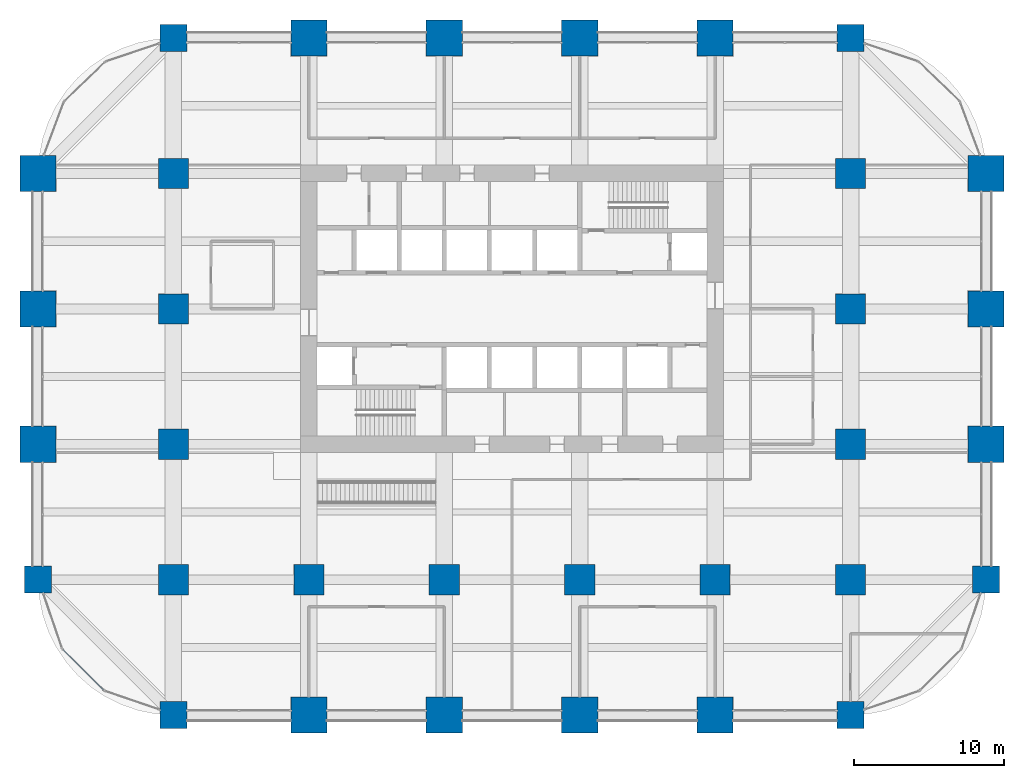
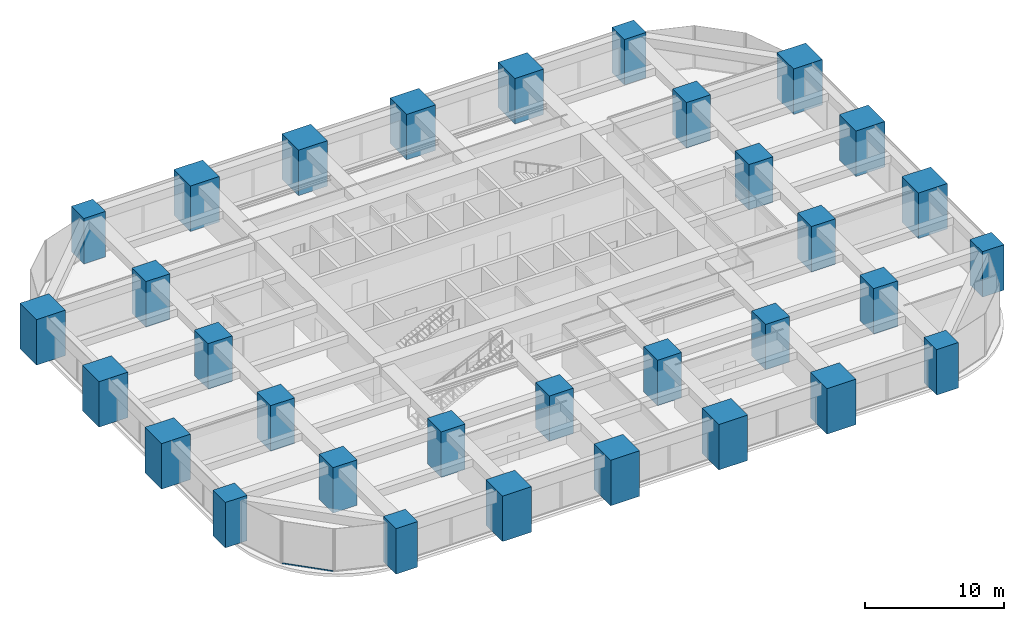
# One storey, part 1 of 39: 32 columns, 1 member, 1 element without a shape of its own.
"""IFC4 building model written with IfcOpenShell, lengths in metres."""

import ifcopenshell
import ifcopenshell.guid

model = None  # the IFC model being written
_history = None  # IfcOwnerHistory: only IFC2X3 demands one
_inside = {}  # id of a spatial element -> (the spatial element, [elements in it])
_under = {}  # id of a project, library or spatial element -> (it, [spatial elements below it])
_declared = {}  # id of a project -> (the project, [libraries it declares])
_typed = {}  # id of a type object -> (the type object, [elements of that type])
_made_of = {}  # id of a material, layer set ... -> (it, [elements and type objects made of it])


def new_model(schema):
    """Start an empty IFC model of exactly this schema.

    Asked for "IFC4X3", IfcOpenShell would pick the latest addendum, in which some entities
    have other attributes; the version numbers below select the first issue.
    IFC2X3 requires an IfcOwnerHistory on every rooted entity: one is made here for all.
    """
    global model, _history
    if schema == "IFC4X3":
        model = ifcopenshell.file(schema_version=(4, 3, 0, 0))
    else:
        model = ifcopenshell.file(schema=schema)
    _inside.clear()
    _under.clear()
    _declared.clear()
    _typed.clear()
    _made_of.clear()
    _history = None
    if model.schema == "IFC2X3":
        org = make("IfcOrganization", Name="unknown")
        user = make(
            "IfcPersonAndOrganization",
            ThePerson=make("IfcPerson", FamilyName="unknown"),
            TheOrganization=org,
        )
        app = make(
            "IfcApplication",
            ApplicationDeveloper=org,
            Version="unknown",
            ApplicationFullName="unknown",
            ApplicationIdentifier="unknown",
        )
        _history = make(
            "IfcOwnerHistory",
            OwningUser=user,
            OwningApplication=app,
            ChangeAction="ADDED",
            CreationDate=0,
        )
    return model


def make(cls, **values):
    """One entity of the class cls with the attributes given. An attribute that is None is left unset."""
    return model.create_entity(
        cls, **{name: value for name, value in values.items() if value is not None}
    )


def rooted(cls, **values):
    """An entity with a GlobalId (a new one), such as an element, a storey or a relation."""
    return make(cls, GlobalId=ifcopenshell.guid.new(), OwnerHistory=_history, **values)


def si_unit(unit_type, name, prefix=None):
    """IfcSIUnit, for example si_unit("LENGTHUNIT", "METRE", prefix="MILLI")."""
    return make("IfcSIUnit", UnitType=unit_type, Prefix=prefix, Name=name)


def assignment(units):
    """IfcUnitAssignment: the units of a project."""
    return None if units is None else make("IfcUnitAssignment", Units=units)


def point(xyz):
    """IfcCartesianPoint."""
    return None if xyz is None else make("IfcCartesianPoint", Coordinates=xyz)


def direction(xyz):
    """IfcDirection."""
    return None if xyz is None else make("IfcDirection", DirectionRatios=xyz)


def frame(location, z_axis=None, x_axis=None):
    """IfcAxis2Placement3D, a coordinate frame: its origin and axes. An axis left out is left unset."""
    return make(
        "IfcAxis2Placement3D",
        Location=point(location),
        Axis=direction(z_axis),
        RefDirection=direction(x_axis),
    )


def frame_2d(location, x_axis=None):
    """IfcAxis2Placement2D, a coordinate frame in the plane: its origin and x axis."""
    return make(
        "IfcAxis2Placement2D", Location=point(location), RefDirection=direction(x_axis)
    )


def origin():
    """The frame at (0, 0, 0) with its axes left unset."""
    return frame((0.0, 0.0, 0.0))


def origin_2d():
    """The frame at (0, 0) in the plane with its x axis left unset."""
    return frame_2d((0.0, 0.0))


def place(relative_to, where):
    """IfcLocalPlacement: puts the frame where relative to a parent placement (None: the world)."""
    return make(
        "IfcLocalPlacement", PlacementRelTo=relative_to, RelativePlacement=where
    )


def context(
    kind, dimensions, precision=None, world=None, true_north=None, identifier=None
):
    """IfcGeometricRepresentationContext, for example the 3D "Model" context."""
    return make(
        "IfcGeometricRepresentationContext",
        ContextIdentifier=identifier,
        ContextType=kind,
        CoordinateSpaceDimension=dimensions,
        Precision=precision,
        WorldCoordinateSystem=world,
        TrueNorth=true_north,
    )


def subcontext(parent, identifier, kind, view, scale=None):
    """IfcGeometricRepresentationSubContext, for example "Body" below "Model"."""
    return make(
        "IfcGeometricRepresentationSubContext",
        ContextIdentifier=identifier,
        ContextType=kind,
        ParentContext=parent,
        TargetScale=scale,
        TargetView=view,
    )


def project(units=None, contexts=None):
    """IfcProject with its units and contexts."""
    return rooted(
        "IfcProject",
        Name="project",
        RepresentationContexts=contexts,
        UnitsInContext=assignment(units),
    )


def spatial(cls, under=None, at=None, **own):
    """A site, building, storey or space (cls), placed at a placement, below another one or the project."""
    s = rooted(cls, ObjectPlacement=at, **own)
    if under is not None:
        _under.setdefault(under.id(), (under, []))[1].append(s)
    return s


def profile(cls, at=None, kind="AREA", **sizes):
    """A parametric profile (cls). Its sizes go by their IFC names, for example OverallWidth=200.0."""
    return make(cls, ProfileType=kind, Position=at, **sizes)


def rectangle(**sizes):
    """IfcRectangleProfileDef."""
    return profile("IfcRectangleProfileDef", **sizes)


def hollow_rectangle(**sizes):
    """IfcRectangleHollowProfileDef."""
    return profile("IfcRectangleHollowProfileDef", **sizes)


def extrude(swept, where, along, depth):
    """IfcExtrudedAreaSolid: the profile swept, set in the frame where, extruded along a direction by depth."""
    return make(
        "IfcExtrudedAreaSolid",
        SweptArea=swept,
        Position=where,
        ExtrudedDirection=direction(along),
        Depth=depth,
    )


def shape(context_of_items, identifier, shape_type, items):
    """IfcShapeRepresentation: the items that make up one representation, for example the "Body"."""
    return make(
        "IfcShapeRepresentation",
        ContextOfItems=context_of_items,
        RepresentationIdentifier=identifier,
        RepresentationType=shape_type,
        Items=items,
    )


def material(Name=None, Category=None):
    """IfcMaterial."""
    return make("IfcMaterial", Name=Name, Category=Category)


def material_profile(
    of_material, cross_section, Name=None, Category=None, Priority=None
):
    """IfcMaterialProfile: a cross section and its material."""
    return make(
        "IfcMaterialProfile",
        Name=Name,
        Material=of_material,
        Profile=cross_section,
        Priority=Priority,
        Category=Category,
    )


def profile_set(profiles, Name=None, composite=None):
    """IfcMaterialProfileSet."""
    return make(
        "IfcMaterialProfileSet",
        Name=Name,
        MaterialProfiles=profiles,
        CompositeProfile=composite,
    )


def made_of(thing, what):
    """Note that an element or type object is made of a material, layer set ...; save() writes the relation."""
    if what is not None:
        _made_of.setdefault(what.id(), (what, []))[1].append(thing)
    return thing


def type_object(cls, material=None, **own):
    """A type object (cls), such as IfcWallType, which elements share."""
    return made_of(rooted(cls, **own), material)


def element(
    cls,
    number,
    at=None,
    inside=None,
    cuts=None,
    type_object=None,
    material=None,
    context=None,
    identifier="Body",
    shape_type=None,
    held_by="IfcProductDefinitionShape",
    body=None,
    shapes=None,
    **own,
):
    """One element of the class cls, such as IfcWall. Its Tag is "e" and its number.

    at: its placement. inside: the storey or other place that contains it. cuts: it is an
    opening in that element (IfcRelVoidsElement). A single representation is given by context,
    identifier, shape_type and body (its items); several are given by shapes. held_by: the class
    of the entity that holds the representations. save() writes the other relations.
    """
    e = rooted(cls, Tag="e%d" % number, ObjectPlacement=at, **own)
    if body is not None:
        shapes = [shape(context, identifier, shape_type, body)]
    if shapes is not None:
        e.Representation = make(held_by, Representations=shapes)
    if inside is not None:
        _inside.setdefault(inside.id(), (inside, []))[1].append(e)
    if cuts is not None:
        rooted(
            "IfcRelVoidsElement", RelatingBuildingElement=cuts, RelatedOpeningElement=e
        )
    if type_object is not None:
        _typed.setdefault(type_object.id(), (type_object, []))[1].append(e)
    return made_of(e, material)


def aggregate(whole, parts):
    """IfcRelAggregates: a whole, such as a stair, and the parts it consists of."""
    return rooted("IfcRelAggregates", RelatingObject=whole, RelatedObjects=parts)


def save(model, path):
    """Write the relations noted so far, then the file.

    IfcRelAggregates (storeys below a building ...), IfcRelContainedInSpatialStructure (elements
    in a storey), IfcRelDefinesByType, IfcRelAssociatesMaterial and IfcRelDeclares: one each for
    every whole, place, type object, material and project.
    """
    for whole, parts in _under.values():
        aggregate(whole, parts)
    for where, things in _inside.values():
        rooted(
            "IfcRelContainedInSpatialStructure",
            RelatedElements=things,
            RelatingStructure=where,
        )
    for kind, things in _typed.values():
        rooted("IfcRelDefinesByType", RelatedObjects=things, RelatingType=kind)
    for what, things in _made_of.values():
        rooted("IfcRelAssociatesMaterial", RelatedObjects=things, RelatingMaterial=what)
    for by, libraries in _declared.values():
        rooted("IfcRelDeclares", RelatingContext=by, RelatedDefinitions=libraries)
    model.write(path)


model = new_model("IFC4")

# Units and contexts
model_context = context("Model", 3, precision=1e-05, world=origin(), true_north=direction((0.0, 1.0)))
body_context = subcontext(model_context, "Body", "Model", "MODEL_VIEW")
ifc_project = project(units=[si_unit("LENGTHUNIT", "METRE"), si_unit("AREAUNIT", "SQUARE_METRE"), si_unit("VOLUMEUNIT", "CUBIC_METRE"), si_unit("PLANEANGLEUNIT", "RADIAN"), si_unit("MASSUNIT", "GRAM", prefix="KILO")], contexts=[model_context])

# Site, building, storey
site_placement = place(None, origin())
site = spatial("IfcSite", under=ifc_project, at=site_placement, CompositionType="ELEMENT")
building_placement = place(site_placement, origin())
building = spatial("IfcBuilding", under=site, at=building_placement, Name="Zorevar Civic Tower", CompositionType="ELEMENT")
storey_placement = place(building_placement, frame((0.0, 0.0, 117.0)))
storey = spatial("IfcBuildingStorey", under=building, at=storey_placement, Name="L28", CompositionType="ELEMENT", Elevation=117.0)

# Columns
ifc_material_1 = material(Name="Concrete C50/60", Category="concrete")
ifc_material_profile_1 = material_profile(ifc_material_1, rectangle(XDim=1.800048828125, YDim=1.800048828125, at=origin_2d()), Name="RC 1800x1800")
ifc_profile_set_1 = profile_set([ifc_material_profile_1], Name="Concrete C50/60")
column_type_1 = type_object("IfcColumnType", Name="Column RC 1800x1800", PredefinedType="COLUMN", material=ifc_profile_set_1)
for number, where, z_axis, x_axis, name in (
    (1, (0.0, 9.0, 0.0), (0.0, 0.0, 1.0), (1.0, 0.0, 0.0), "Column 2B L28"),
    (2, (9.0, 0.0, 0.0), (0.0, 0.0, 1.0), (1.0, 0.0, 0.0), "Column 3A L28"),
    (3, (9.0, 45.0, 0.0), (0.0, 0.0, 1.0), (1.0, 0.0, 0.0), "Column 3F L28"),
    (4, (54.0, 0.0, 0.0), (0.0, 0.0, 1.0), (1.0, 0.0, 0.0), "Column 8A L28"),
    (5, (54.0, 45.0, 0.0), (0.0, 0.0, 1.0), (1.0, 0.0, 0.0), "Column 8F L28"),
    (6, (63.0, 9.0, 0.0), (0.0, 0.0, 1.0), (1.0, 0.0, 0.0), "Column 9B L28"),
):
    element("IfcColumn", number, at=place(storey_placement, frame(where, z_axis=z_axis, x_axis=x_axis)), inside=storey, type_object=column_type_1, Name=name, PredefinedType="COLUMN", context=body_context, shape_type="SweptSolid", body=[
        extrude(rectangle(XDim=1.800048828125, YDim=1.800048828125, at=origin_2d()), origin(), (0.0, 0.0, 1.0), 4.0),
    ])
ifc_material_2 = material(Name="Concrete C50/60", Category="concrete")
ifc_material_profile_2 = material_profile(ifc_material_2, rectangle(XDim=2.0, YDim=2.0, at=origin_2d()), Name="RC 2000x2000")
ifc_profile_set_2 = profile_set([ifc_material_profile_2], Name="Concrete C50/60")
column_type_2 = type_object("IfcColumnType", Name="Column RC 2000x2000", PredefinedType="COLUMN", material=ifc_profile_set_2)
for number, where, z_axis, x_axis, name in (
    (7, (9.0, 9.0, 0.0), (0.0, 0.0, 1.0), (1.0, 0.0, 0.0), "Column 3B L28"),
    (8, (9.0, 18.0, 0.0), (0.0, 0.0, 1.0), (1.0, 0.0, 0.0), "Column 3C L28"),
    (9, (9.0, 27.0, 0.0), (0.0, 0.0, 1.0), (1.0, 0.0, 0.0), "Column 3D L28"),
    (10, (9.0, 36.0, 0.0), (0.0, 0.0, 1.0), (1.0, 0.0, 0.0), "Column 3E L28"),
    (11, (18.0, 9.0, 0.0), (0.0, 0.0, 1.0), (1.0, 0.0, 0.0), "Column 4B L28"),
    (12, (27.0, 9.0, 0.0), (0.0, 0.0, 1.0), (1.0, 0.0, 0.0), "Column 5B L28"),
    (13, (36.0, 9.0, 0.0), (0.0, 0.0, 1.0), (1.0, 0.0, 0.0), "Column 6B L28"),
    (14, (45.0, 9.0, 0.0), (0.0, 0.0, 1.0), (1.0, 0.0, 0.0), "Column 7B L28"),
    (15, (54.0, 9.0, 0.0), (0.0, 0.0, 1.0), (1.0, 0.0, 0.0), "Column 8B L28"),
    (16, (54.0, 18.0, 0.0), (0.0, 0.0, 1.0), (1.0, 0.0, 0.0), "Column 8C L28"),
    (17, (54.0, 27.0, 0.0), (0.0, 0.0, 1.0), (1.0, 0.0, 0.0), "Column 8D L28"),
    (18, (54.0, 36.0, 0.0), (0.0, 0.0, 1.0), (1.0, 0.0, 0.0), "Column 8E L28"),
):
    element("IfcColumn", number, at=place(storey_placement, frame(where, z_axis=z_axis, x_axis=x_axis)), inside=storey, type_object=column_type_2, Name=name, PredefinedType="COLUMN", context=body_context, shape_type="SweptSolid", body=[
        extrude(rectangle(XDim=2.0, YDim=2.0, at=origin_2d()), origin(), (0.0, 0.0, 1.0), 4.0),
    ])
ifc_material_3 = material(Name="Concrete C50/60", Category="concrete")
ifc_material_profile_3 = material_profile(ifc_material_3, rectangle(XDim=2.39990234375, YDim=2.39990234375, at=origin_2d()), Name="RC 2400x2400")
ifc_profile_set_3 = profile_set([ifc_material_profile_3], Name="Concrete C50/60")
column_type_3 = type_object("IfcColumnType", Name="Mega column RC 2400x2400", PredefinedType="COLUMN", material=ifc_profile_set_3)
for number, where, z_axis, x_axis, name in (
    (19, (0.0, 18.0, 0.0), (0.0, 0.0, 1.0), (1.0, 0.0, 0.0), "Column 2C L28"),
    (20, (0.0, 27.0, 0.0), (0.0, 0.0, 1.0), (1.0, 0.0, 0.0), "Column 2D L28"),
    (21, (0.0, 36.0, 0.0), (0.0, 0.0, 1.0), (1.0, 0.0, 0.0), "Column 2E L28"),
    (22, (18.0, 0.0, 0.0), (0.0, 0.0, 1.0), (1.0, 0.0, 0.0), "Column 4A L28"),
    (23, (18.0, 45.0, 0.0), (0.0, 0.0, 1.0), (1.0, 0.0, 0.0), "Column 4F L28"),
    (24, (27.0, 0.0, 0.0), (0.0, 0.0, 1.0), (1.0, 0.0, 0.0), "Column 5A L28"),
    (25, (27.0, 45.0, 0.0), (0.0, 0.0, 1.0), (1.0, 0.0, 0.0), "Column 5F L28"),
    (26, (36.0, 0.0, 0.0), (0.0, 0.0, 1.0), (1.0, 0.0, 0.0), "Column 6A L28"),
    (27, (36.0, 45.0, 0.0), (0.0, 0.0, 1.0), (1.0, 0.0, 0.0), "Column 6F L28"),
    (28, (45.0, 0.0, 0.0), (0.0, 0.0, 1.0), (1.0, 0.0, 0.0), "Column 7A L28"),
    (29, (45.0, 45.0, 0.0), (0.0, 0.0, 1.0), (1.0, 0.0, 0.0), "Column 7F L28"),
    (30, (63.0, 18.0, 0.0), (0.0, 0.0, 1.0), (1.0, 0.0, 0.0), "Column 9C L28"),
    (31, (63.0, 27.0, 0.0), (0.0, 0.0, 1.0), (1.0, 0.0, 0.0), "Column 9D L28"),
    (32, (63.0, 36.0, 0.0), (0.0, 0.0, 1.0), (1.0, 0.0, 0.0), "Column 9E L28"),
):
    element("IfcColumn", number, at=place(storey_placement, frame(where, z_axis=z_axis, x_axis=x_axis)), inside=storey, type_object=column_type_3, Name=name, PredefinedType="COLUMN", context=body_context, shape_type="SweptSolid", body=[
        extrude(rectangle(XDim=2.39990234375, YDim=2.39990234375, at=origin_2d()), origin(), (0.0, 0.0, 1.0), 4.0),
    ])

# Curtain wall, member
ifc_material_4 = material(Name="Dark grey solar-control glass in black aluminium frame", Category="aluminium")
curtain_wall_type = type_object("IfcCurtainWallType", Name="Curtain wall CW3 mid zone", PredefinedType="NOTDEFINED", material=ifc_material_4)
curtain_wall_placement = place(storey_placement, origin())
curtain_wall = element("IfcCurtainWall", 33, at=curtain_wall_placement, inside=storey, type_object=curtain_wall_type, Name="CW3 L28", PredefinedType="NOTDEFINED")
ifc_material_5 = material(Name="Aluminium, black anodised", Category="aluminium")
ifc_material_profile_4 = material_profile(ifc_material_5, hollow_rectangle(XDim=0.06005859375, YDim=0.1201171875, WallThickness=0.0029296875, at=origin_2d()), Name="AL 120x60x3")
ifc_profile_set_4 = profile_set([ifc_material_profile_4], Name="Aluminium, black anodised")
member_type = type_object("IfcMemberType", Name="CW3 transom AL 120x60x3", PredefinedType="USERDEFINED", material=ifc_profile_set_4)
member_placement = place(storey_placement, frame((1.662841796875, 4.349853515625, 0.030029296875), z_axis=(0.707106781187, -0.707106781187, 0.0), x_axis=(0.707106781187, 0.707106781187, 0.0)))
member = element("IfcMember", 34, at=member_placement, type_object=member_type, Name="CW3 sill transom", ObjectType="TRANSOM", PredefinedType="USERDEFINED", context=body_context, shape_type="SweptSolid", body=[
    extrude(hollow_rectangle(XDim=0.06005859375, YDim=0.1201171875, WallThickness=0.0029296875, at=origin_2d()), origin(), (0.0, 0.0, 1.0), 3.800048828125),
])
aggregate(curtain_wall, [member])

save(model, "model.ifc")
